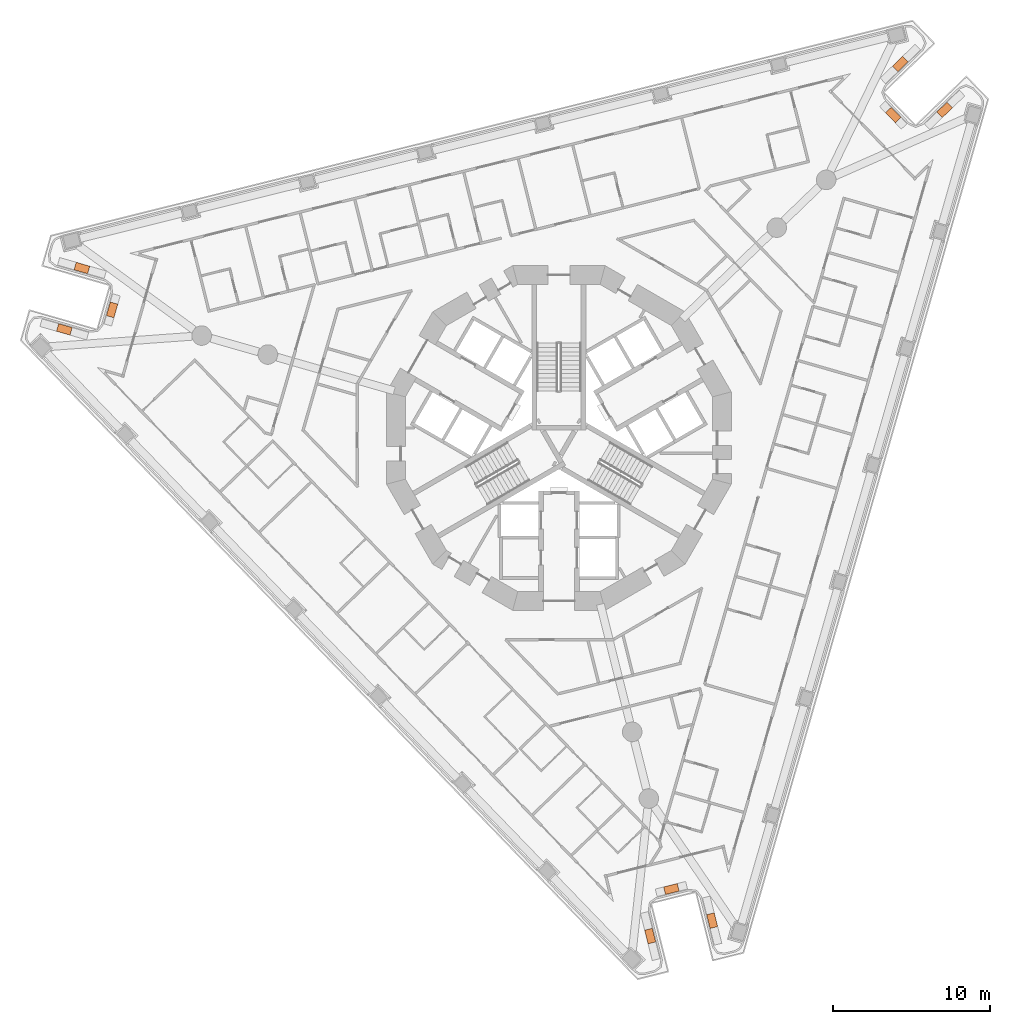
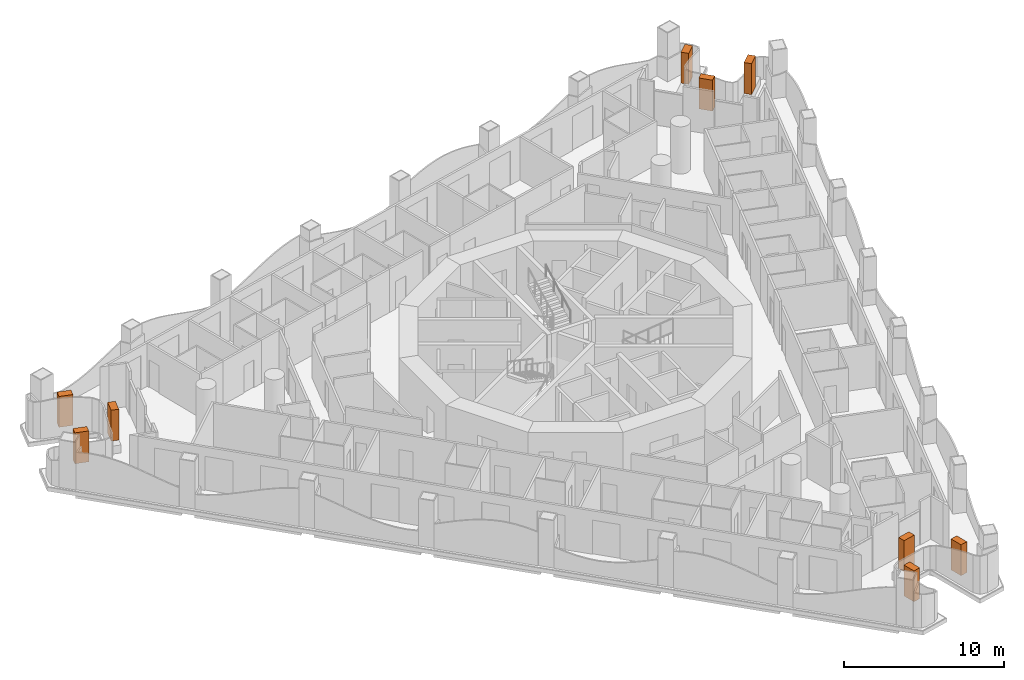
# One storey, part 20 of 20: 9 geographic elements.
"""IFC4 building model written with IfcOpenShell, lengths in metres."""

from ifc_helpers import new_model, si_unit, direction, frame, origin, origin_2d, place, context, subcontext, project, spatial, rectangle, extrude, element, save


model = new_model("IFC4")

# Units and contexts
model_context = context("Model", 3, precision=1e-05, world=origin(), true_north=direction((0.0, 1.0)))
body_context = subcontext(model_context, "Body", "Model", "MODEL_VIEW")
ifc_project = project(units=[si_unit("LENGTHUNIT", "METRE"), si_unit("AREAUNIT", "SQUARE_METRE"), si_unit("VOLUMEUNIT", "CUBIC_METRE"), si_unit("PLANEANGLEUNIT", "RADIAN"), si_unit("MASSUNIT", "GRAM", prefix="KILO")], contexts=[model_context])

# Site, building, storey
site_placement = place(None, origin())
site = spatial("IfcSite", under=ifc_project, at=site_placement, CompositionType="ELEMENT")
building_placement = place(site_placement, origin())
building = spatial("IfcBuilding", under=site, at=building_placement, Name="Trine Commons Tower", CompositionType="ELEMENT")
storey_placement = place(building_placement, frame((0.0, 0.0, 112.5)))
storey = spatial("IfcBuildingStorey", under=building, at=storey_placement, Name="L28", CompositionType="ELEMENT", Elevation=112.5)

# Geographic elements
for number, where, z_axis, x_axis, name in (
    (1, (48.400634765625, 69.438720703125, 0.599853515625), (0.0, 0.0, 1.0), (0.961260733777, -0.275640711252, 0.0), "Tree 1.1"),
    (2, (51.45263671875, 70.685791015625, 0.599853515625), (0.0, 0.0, 1.0), (0.275645744397, 0.961259290512, 0.0), "Tree 2.1"),
    (3, (49.525146484375, 73.360595703125, 0.599853515625), (0.0, 0.0, 1.0), (-0.961262658088, 0.275634000379, 0.0), "Tree 3.1"),
    (4, (101.808837890625, 86.396484375, 0.599853515625), (0.0, 0.0, 1.0), (-0.719332525854, -0.69466590333, 0.0), "Tree 4.1"),
    (5, (101.36279296875, 83.1298828125, 0.599853515625), (0.0, 0.0, 1.0), (0.694658370459, -0.719339800339, 0.0), "Tree 5.1"),
    (6, (104.64306640625, 83.461669921875, 0.599853515625), (0.0, 0.0, 1.0), (0.719362835687, 0.694634515866, 0.0), "Tree 6.1"),
    (7, (89.79052734375, 31.664794921875, 0.599853515625), (0.0, 0.0, 1.0), (-0.241908347692, 0.970299104048, 0.0), "Tree 7.1"),
    (8, (87.1845703125, 33.684326171875, 0.599853515625), (0.0, 0.0, 1.0), (-0.970297415186, -0.241915121652, 0.0), "Tree 8.1"),
    (9, (85.831787109375, 30.677734375, 0.599853515625), (0.0, 0.0, 1.0), (0.241908347692, -0.970299104048, 0.0), "Tree 9.1"),
):
    element("IfcGeographicElement", number, at=place(storey_placement, frame(where, z_axis=z_axis, x_axis=x_axis)), inside=storey, Name=name, ObjectType="TREE Tabebuia rosea", PredefinedType="USERDEFINED", context=body_context, shape_type="SweptSolid", body=[
        extrude(rectangle(XDim=0.89990234375, YDim=0.5, at=origin_2d()), origin(), (0.0, 0.0, 1.0), 2.35009765625),
    ])

save(model, "model.ifc")
